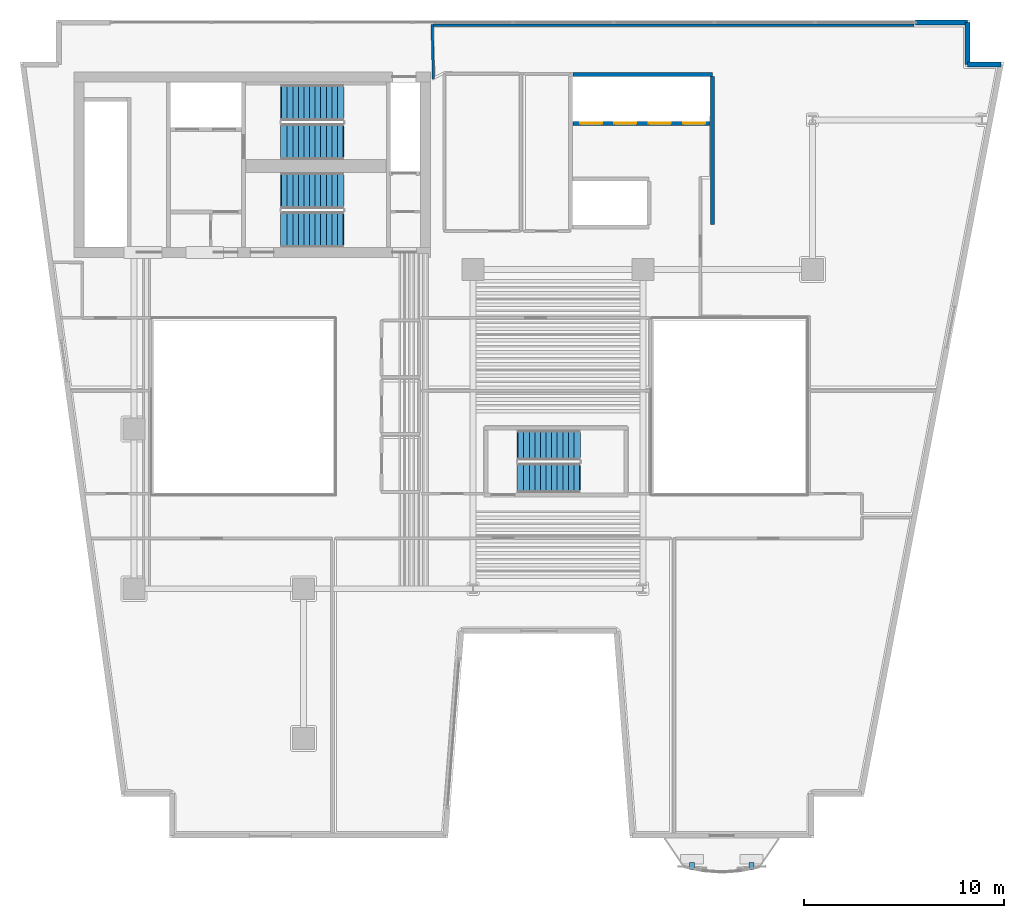
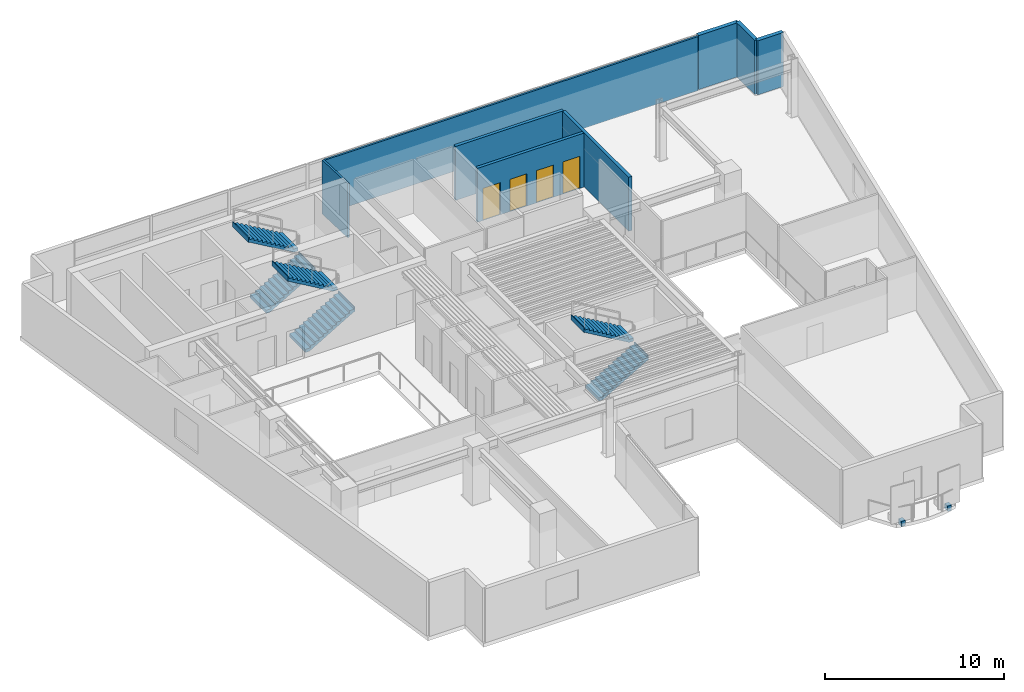
# One storey, part 8 of 13: 8 walls, 6 stair flights, 4 doors, 2 discrete accessories, 4 openings, 3 elements without a shape of their own.
"""IFC4 building model written with IfcOpenShell, lengths in metres."""

from ifc_helpers import new_model, si_unit, direction, frame, frame_2d, origin, origin_2d, place, context, subcontext, project, spatial, polyline, rectangle, outline, extrude, material, layer, layer_set, type_object, element, fill, aggregate, save


model = new_model("IFC4")

# Units and contexts
model_context = context("Model", 3, precision=1e-05, world=origin(), true_north=direction((0.0, 1.0)))
body_context = subcontext(model_context, "Body", "Model", "MODEL_VIEW")
ifc_project = project(units=[si_unit("LENGTHUNIT", "METRE"), si_unit("AREAUNIT", "SQUARE_METRE"), si_unit("VOLUMEUNIT", "CUBIC_METRE"), si_unit("PLANEANGLEUNIT", "RADIAN"), si_unit("MASSUNIT", "GRAM", prefix="KILO")], contexts=[model_context])

# Site, building, storey
site_placement = place(None, origin())
site = spatial("IfcSite", under=ifc_project, at=site_placement, CompositionType="ELEMENT")
building_placement = place(site_placement, origin())
building = spatial("IfcBuilding", under=site, at=building_placement, Name="Caeloran Harvest Quay", CompositionType="ELEMENT")
storey_placement = place(building_placement, frame((0.0, 0.0, 135.10009765625)))
storey = spatial("IfcBuildingStorey", under=building, at=storey_placement, Name="L31", CompositionType="ELEMENT", Elevation=135.10009765625)

# Walls
ifc_material_1 = material(Name="Precast concrete C50/60", Category="concrete")
ifc_layer_1 = layer(ifc_material_1, 0.260009765625, Name="Precast concrete C50/60")
ifc_layer_set_1 = layer_set([ifc_layer_1], Name="Precast concrete C50/60")
wall_type_1 = type_object("IfcWallType", Name="ENV-WALL-EW-260", PredefinedType="STANDARD", material=ifc_layer_set_1)
wall_1_placement = place(storey_placement, frame((47.669921875, 43.3701171875, 0.0), z_axis=(0.0, 0.0, 1.0), x_axis=(1.0, 0.0, 0.0)))
element("IfcWall", 1, at=wall_1_placement, inside=storey, type_object=wall_type_1, Name="L31 Exterior Facade Corner Pier Wall 6B", PredefinedType="STANDARD", context=body_context, shape_type="SweptSolid", body=[
    extrude(rectangle(XDim=2.60009765625, YDim=0.260009765625, at=frame_2d((1.300048828125, 0.0))), origin(), (0.0, 0.0, 1.0), 3.68994140625),
])
wall_2_placement = place(storey_placement, frame((50.27001953125, 43.3701171875, 0.0), z_axis=(0.0, 0.0, 1.0), x_axis=(0.0, -1.0, 0.0)))
element("IfcWall", 2, at=wall_2_placement, inside=storey, type_object=wall_type_1, Name="L31 Exterior Precast Concrete Facade Wall 7", PredefinedType="STANDARD", context=body_context, shape_type="SweptSolid", body=[
    extrude(rectangle(XDim=2.10009765625, YDim=0.260009765625, at=frame_2d((1.050048828125, 0.0))), origin(), (0.0, 0.0, 1.0), 3.68994140625),
])
wall_3_placement = place(storey_placement, frame((50.27001953125, 41.27001953125, 0.0), z_axis=(0.0, 0.0, 1.0), x_axis=(1.0, 0.0, 0.0)))
element("IfcWall", 3, at=wall_3_placement, inside=storey, type_object=wall_type_1, Name="L31 Exterior Precast Concrete Facade Wall 8", PredefinedType="STANDARD", context=body_context, shape_type="SweptSolid", body=[
    extrude(rectangle(XDim=1.671875, YDim=0.260009765625, at=frame_2d((0.8359375, 0.0))), origin(), (0.0, 0.0, 1.0), 3.68994140625),
])
ifc_material_2 = material(Name="Twin-Stud Mineral-Wool Acoustic Gypsum Partition", Category="gypsum")
ifc_layer_2 = layer(ifc_material_2, 0.125, Name="Twin-Stud Mineral-Wool Acoustic Gypsum Partition")
ifc_layer_set_2 = layer_set([ifc_layer_2], Name="Twin-Stud Mineral-Wool Acoustic Gypsum Partition")
wall_type_2 = type_object("IfcWallType", Name="INT-WALL-PW-125", PredefinedType="PARTITIONING", material=ifc_layer_set_2)
wall_4_placement = place(storey_placement, frame((23.510009765625, 40.555908203125, 0.0), z_axis=(0.0, 0.0, 1.0), x_axis=(-0.02567646332, 0.999670305266, 0.0)))
element("IfcWall", 4, at=wall_4_placement, inside=storey, type_object=wall_type_2, Name="Food Texture Sensory Laboratory 9 Partition Wall", PredefinedType="PARTITIONING", context=body_context, shape_type="SweptSolid", body=[
    extrude(rectangle(XDim=2.7099609375, YDim=0.125, at=frame_2d((1.35498046875, 0.0))), origin(), (0.0, 0.0, 1.0), 3.68994140625),
])
wall_5_placement = place(storey_placement, frame((23.508544921875, 43.239990234375, 0.0), z_axis=(0.0, 0.0, 1.0), x_axis=(1.0, 0.0, 0.0)))
element("IfcWall", 5, at=wall_5_placement, inside=storey, type_object=wall_type_2, Name="Food Texture Sensory Laboratory 9 Partition Wall", PredefinedType="PARTITIONING", context=body_context, shape_type="SweptSolid", body=[
    extrude(rectangle(XDim=24.0869140625, YDim=0.125, at=frame_2d((12.04345703125, 0.0))), origin(), (0.0, 0.0, 1.0), 3.68994140625),
])
ifc_material_3 = material(Name="Concrete C50/60", Category="concrete")
ifc_layer_3 = layer(ifc_material_3, 0.199951171875, Name="Concrete C50/60")
ifc_layer_set_3 = layer_set([ifc_layer_3], Name="Concrete C50/60")
wall_type_3 = type_object("IfcWallType", Name="INT-WALL-SW-200", PredefinedType="PARTITIONING", material=ifc_layer_set_3)
wall_6_placement = place(storey_placement, frame((30.5, 40.780029296875, 0.0), z_axis=(0.0, 0.0, 1.0), x_axis=(1.0, 0.0, 0.0)))
element("IfcWall", 6, at=wall_6_placement, inside=storey, type_object=wall_type_3, Name="L31 Bank 2 Lift Shaft North Wall", PredefinedType="PARTITIONING", context=body_context, shape_type="SweptSolid", body=[
    extrude(rectangle(XDim=6.97998046875, YDim=0.199951171875, at=frame_2d((3.489990234375, 0.0))), origin(), (0.0, 0.0, 1.0), 3.68994140625),
])
wall_7_placement = place(storey_placement, frame((37.47998046875, 33.239990234375, 0.0), z_axis=(0.0, 0.0, 1.0), x_axis=(0.0, 1.0, 0.0)))
element("IfcWall", 7, at=wall_7_placement, inside=storey, type_object=wall_type_3, Name="L31 Bank 2 Lift Shaft East Wall", PredefinedType="PARTITIONING", context=body_context, shape_type="SweptSolid", body=[
    extrude(rectangle(XDim=7.419921875, YDim=0.199951171875, at=frame_2d((3.7099609375, 0.0))), origin(), (0.0, 0.0, 1.0), 3.68994140625),
])

# Wall, openings, doors
wall_8_placement = place(storey_placement, frame((30.5, 38.320068359375, 0.0), z_axis=(0.0, 0.0, 1.0), x_axis=(1.0, 0.0, 0.0)))
wall_8 = element("IfcWall", 8, at=wall_8_placement, inside=storey, type_object=wall_type_3, Name="L31 Bank 2 Lift Landing Front Wall", PredefinedType="PARTITIONING", context=body_context, shape_type="SweptSolid", body=[
    extrude(rectangle(XDim=6.860107421875, YDim=0.199951171875, at=frame_2d((3.43017578125, 0.0))), origin(), (0.0, 0.0, 1.0), 3.68994140625),
])
opening_1_placement = place(wall_8_placement, frame((0.360107421875, 0.0, 0.0)))
opening_1 = element("IfcOpeningElement", 9, at=opening_1_placement, cuts=wall_8, Name="Opening LD-01", PredefinedType="OPENING", context=body_context, shape_type="SweptSolid", body=[
    extrude(rectangle(XDim=1.10009765625, YDim=2.199951171875, at=frame_2d((0.550048828125, 1.10009765625))), frame((0.0, 0.10986328125, 0.0), z_axis=(0.0, -1.0, 0.0), x_axis=(1.0, 0.0, 0.0)), (0.0, 0.0, 1.0), 0.219970703125),
])
opening_2_placement = place(wall_8_placement, frame((2.080078125, 0.0, 0.0)))
opening_2 = element("IfcOpeningElement", 10, at=opening_2_placement, cuts=wall_8, Name="Opening LD-01", PredefinedType="OPENING", context=body_context, shape_type="SweptSolid", body=[
    extrude(rectangle(XDim=1.10009765625, YDim=2.199951171875, at=frame_2d((0.550048828125, 1.10009765625))), frame((0.0, 0.10986328125, 0.0), z_axis=(0.0, -1.0, 0.0), x_axis=(1.0, 0.0, 0.0)), (0.0, 0.0, 1.0), 0.219970703125),
])
opening_3_placement = place(wall_8_placement, frame((3.800048828125, 0.0, 0.0)))
opening_3 = element("IfcOpeningElement", 11, at=opening_3_placement, cuts=wall_8, Name="Opening LD-01", PredefinedType="OPENING", context=body_context, shape_type="SweptSolid", body=[
    extrude(rectangle(XDim=1.10009765625, YDim=2.199951171875, at=frame_2d((0.550048828125, 1.10009765625))), frame((0.0, 0.10986328125, 0.0), z_axis=(0.0, -1.0, 0.0), x_axis=(1.0, 0.0, 0.0)), (0.0, 0.0, 1.0), 0.219970703125),
])
opening_4_placement = place(wall_8_placement, frame((5.52001953125, 0.0, 0.0)))
opening_4 = element("IfcOpeningElement", 12, at=opening_4_placement, cuts=wall_8, Name="Opening LD-01", PredefinedType="OPENING", context=body_context, shape_type="SweptSolid", body=[
    extrude(rectangle(XDim=1.10009765625, YDim=2.199951171875, at=frame_2d((0.550048828125, 1.10009765625))), frame((0.0, 0.10986328125, 0.0), z_axis=(0.0, -1.0, 0.0), x_axis=(1.0, 0.0, 0.0)), (0.0, 0.0, 1.0), 0.219970703125),
])
ifc_material_4 = material(Name="Stainless Steel Grade 316", Category="steel")
door_type = type_object("IfcDoorType", Name="INTDOOR-LD-01", OperationType="NOTDEFINED", PredefinedType="DOOR", material=ifc_material_4)
door_1_placement = place(opening_1_placement, origin())
door_1 = element("IfcDoor", 13, at=door_1_placement, inside=storey, type_object=door_type, Name="Lift P2-1 Sliding Landing Door (L31)", OperationType="DOUBLE_DOOR_SLIDING", OverallHeight=2.199951171875, OverallWidth=1.10009765625, PredefinedType="DOOR", context=body_context, shape_type="SweptSolid", body=[
    extrude(rectangle(XDim=1.10009765625, YDim=2.199951171875, at=frame_2d((0.550048828125, 1.10009765625))), frame((0.0, 0.02490234375, 0.0), z_axis=(0.0, -1.0, 0.0), x_axis=(1.0, 0.0, 0.0)), (0.0, 0.0, 1.0), 0.050048828125),
])
fill(opening_1, door_1)
door_2_placement = place(opening_2_placement, origin())
door_2 = element("IfcDoor", 14, at=door_2_placement, inside=storey, type_object=door_type, Name="Lift P2-2 Sliding Landing Door (L31)", OperationType="DOUBLE_DOOR_SLIDING", OverallHeight=2.199951171875, OverallWidth=1.10009765625, PredefinedType="DOOR", context=body_context, shape_type="SweptSolid", body=[
    extrude(rectangle(XDim=1.10009765625, YDim=2.199951171875, at=frame_2d((0.550048828125, 1.10009765625))), frame((0.0, 0.02490234375, 0.0), z_axis=(0.0, -1.0, 0.0), x_axis=(1.0, 0.0, 0.0)), (0.0, 0.0, 1.0), 0.050048828125),
])
fill(opening_2, door_2)
door_3_placement = place(opening_3_placement, origin())
door_3 = element("IfcDoor", 15, at=door_3_placement, inside=storey, type_object=door_type, Name="Lift P2-3 Sliding Landing Door (L31)", OperationType="DOUBLE_DOOR_SLIDING", OverallHeight=2.199951171875, OverallWidth=1.10009765625, PredefinedType="DOOR", context=body_context, shape_type="SweptSolid", body=[
    extrude(rectangle(XDim=1.10009765625, YDim=2.199951171875, at=frame_2d((0.550048828125, 1.10009765625))), frame((0.0, 0.02490234375, 0.0), z_axis=(0.0, -1.0, 0.0), x_axis=(1.0, 0.0, 0.0)), (0.0, 0.0, 1.0), 0.050048828125),
])
fill(opening_3, door_3)
door_4_placement = place(opening_4_placement, origin())
door_4 = element("IfcDoor", 16, at=door_4_placement, inside=storey, type_object=door_type, Name="Lift P2-4 Sliding Landing Door (L31)", OperationType="DOUBLE_DOOR_SLIDING", OverallHeight=2.199951171875, OverallWidth=1.10009765625, PredefinedType="DOOR", context=body_context, shape_type="SweptSolid", body=[
    extrude(rectangle(XDim=1.10009765625, YDim=2.199951171875, at=frame_2d((0.550048828125, 1.10009765625))), frame((0.0, 0.02490234375, 0.0), z_axis=(0.0, -1.0, 0.0), x_axis=(1.0, 0.0, 0.0)), (0.0, 0.0, 1.0), 0.050048828125),
])
fill(opening_4, door_4)

# Stair, stair flights
stair_type_1 = type_object("IfcStairType", Name="STAIR-STC-180", PredefinedType="HALF_TURN_STAIR", material=ifc_material_3)
stair_1_placement = place(storey_placement, origin())
stair_1 = element("IfcStair", 17, at=stair_1_placement, inside=storey, type_object=stair_type_1, Name="L31 Core Pressurized Exit Stair ST-C1", PredefinedType="HALF_TURN_STAIR")
stair_flight_type_1 = type_object("IfcStairFlightType", Name="FLIGHT-STC-180", PredefinedType="STRAIGHT", material=ifc_material_3)
stair_flight_1_placement = place(storey_placement, frame((15.89990234375, 37.39990234375, 0.0), z_axis=(0.0, 0.0, 1.0), x_axis=(1.0, 0.0, 0.0)))
stair_flight_1 = element("IfcStairFlight", 18, at=stair_flight_1_placement, type_object=stair_flight_type_1, Name="ST-C1 flight 1", NumberOfRisers=12, NumberOfTreads=11, PredefinedType="STRAIGHT", RiserHeight=0.164583333, TreadLength=0.28, context=body_context, shape_type="SweptSolid", body=[
    extrude(outline(polyline([(-0.054931640625, -0.044921875), (-0.054931640625, -0.031982421875), (-0.054931640625, -0.018798828125), (-0.054931640625, -0.005615234375), (-0.054931640625, 0.00732421875), (-0.054931640625, 0.0205078125), (-0.054931640625, 0.03369140625), (-0.054931640625, 0.046630859375), (-0.054931640625, 0.059814453125), (-0.054931640625, 0.072998046875), (-0.054931640625, 0.0859375), (-0.054931640625, 0.09912109375), (-0.054931640625, 0.1123046875), (-0.054931640625, 0.125244140625), (-0.054931640625, 0.138427734375), (-0.054931640625, 0.1513671875), (-0.054931640625, 0.16455078125), (0.280029296875, 0.16455078125), (0.280029296875, 0.3291015625), (0.56005859375, 0.3291015625), (0.56005859375, 0.49365234375), (0.840087890625, 0.49365234375), (0.840087890625, 0.658447265625), (1.1201171875, 0.658447265625), (1.1201171875, 0.822998046875), (1.39990234375, 0.822998046875), (1.39990234375, 0.987548828125), (1.679931640625, 0.987548828125), (1.679931640625, 1.152099609375), (1.9599609375, 1.152099609375), (1.9599609375, 1.316650390625), (2.239990234375, 1.316650390625), (2.239990234375, 1.481201171875), (2.52001953125, 1.481201171875), (2.52001953125, 1.645751953125), (2.800048828125, 1.645751953125), (2.800048828125, 1.810302734375), (3.080078125, 1.810302734375), (3.080078125, 1.97509765625), (3.135009765625, 1.97509765625), (3.135009765625, 1.953857421875), (3.135009765625, 1.9326171875), (3.135009765625, 1.91162109375), (3.135009765625, 1.890380859375), (3.135009765625, 1.869140625), (3.135009765625, 1.84814453125), (3.135009765625, 1.826904296875), (3.135009765625, 1.8056640625), (3.135009765625, 1.78466796875), (3.135009765625, 1.763427734375), (3.135009765625, 1.7421875), (3.135009765625, 1.72119140625), (3.135009765625, 1.699951171875), (3.135009765625, 1.678955078125), (3.135009765625, 1.65771484375), (3.135009765625, 1.636474609375), (3.080078125, 1.636474609375), (0.21923828125, -0.044921875), (-0.054931640625, -0.044921875)])), frame((0.0, 0.89990234375, 0.0), z_axis=(0.0, -1.0, 0.0), x_axis=(1.0, 0.0, 0.0)), (0.0, 0.0, 1.0), 1.800048828125),
])
stair_flight_2_placement = place(storey_placement, frame((18.97998046875, 39.35009765625, 1.974853515625), z_axis=(0.0, 0.0, 1.0), x_axis=(-1.0, 0.0, 0.0)))
stair_flight_2 = element("IfcStairFlight", 19, at=stair_flight_2_placement, type_object=stair_flight_type_1, Name="ST-C1 flight 2", NumberOfRisers=12, NumberOfTreads=11, PredefinedType="STRAIGHT", RiserHeight=0.164583333, TreadLength=0.28, context=body_context, shape_type="SweptSolid", body=[
    extrude(outline(polyline([(-0.054931640625, -0.044921875), (-0.054931640625, -0.031982421875), (-0.054931640625, -0.018798828125), (-0.054931640625, -0.005615234375), (-0.054931640625, 0.00732421875), (-0.054931640625, 0.0205078125), (-0.054931640625, 0.03369140625), (-0.054931640625, 0.046630859375), (-0.054931640625, 0.059814453125), (-0.054931640625, 0.072998046875), (-0.054931640625, 0.0859375), (-0.054931640625, 0.09912109375), (-0.054931640625, 0.1123046875), (-0.054931640625, 0.125244140625), (-0.054931640625, 0.138427734375), (-0.054931640625, 0.1513671875), (-0.054931640625, 0.16455078125), (0.280029296875, 0.16455078125), (0.280029296875, 0.3291015625), (0.56005859375, 0.3291015625), (0.56005859375, 0.49365234375), (0.840087890625, 0.49365234375), (0.840087890625, 0.658447265625), (1.1201171875, 0.658447265625), (1.1201171875, 0.822998046875), (1.39990234375, 0.822998046875), (1.39990234375, 0.987548828125), (1.679931640625, 0.987548828125), (1.679931640625, 1.152099609375), (1.9599609375, 1.152099609375), (1.9599609375, 1.316650390625), (2.239990234375, 1.316650390625), (2.239990234375, 1.481201171875), (2.52001953125, 1.481201171875), (2.52001953125, 1.645751953125), (2.800048828125, 1.645751953125), (2.800048828125, 1.810302734375), (3.080078125, 1.810302734375), (3.080078125, 1.97509765625), (3.135009765625, 1.97509765625), (3.135009765625, 1.953857421875), (3.135009765625, 1.9326171875), (3.135009765625, 1.91162109375), (3.135009765625, 1.890380859375), (3.135009765625, 1.869140625), (3.135009765625, 1.84814453125), (3.135009765625, 1.826904296875), (3.135009765625, 1.8056640625), (3.135009765625, 1.78466796875), (3.135009765625, 1.763427734375), (3.135009765625, 1.7421875), (3.135009765625, 1.72119140625), (3.135009765625, 1.699951171875), (3.135009765625, 1.678955078125), (3.135009765625, 1.65771484375), (3.135009765625, 1.636474609375), (3.080078125, 1.636474609375), (0.21923828125, -0.044921875), (-0.054931640625, -0.044921875)])), frame((0.0, 0.89990234375, 0.0), z_axis=(0.0, -1.0, 0.0), x_axis=(1.0, 0.0, 0.0)), (0.0, 0.0, 1.0), 1.800048828125),
])
aggregate(stair_1, [stair_flight_1, stair_flight_2])

stair_2_placement = place(storey_placement, origin())
stair_2 = element("IfcStair", 20, at=stair_2_placement, inside=storey, type_object=stair_type_1, Name="L31 Core Pressurized Exit Stair ST-C2", PredefinedType="HALF_TURN_STAIR")
stair_flight_3_placement = place(storey_placement, frame((15.89990234375, 33.0, 0.0), z_axis=(0.0, 0.0, 1.0), x_axis=(1.0, 0.0, 0.0)))
stair_flight_3 = element("IfcStairFlight", 21, at=stair_flight_3_placement, type_object=stair_flight_type_1, Name="ST-C2 flight 1", NumberOfRisers=12, NumberOfTreads=11, PredefinedType="STRAIGHT", RiserHeight=0.164583333, TreadLength=0.28, context=body_context, shape_type="SweptSolid", body=[
    extrude(outline(polyline([(-0.054931640625, -0.044921875), (-0.054931640625, -0.031982421875), (-0.054931640625, -0.018798828125), (-0.054931640625, -0.005615234375), (-0.054931640625, 0.00732421875), (-0.054931640625, 0.0205078125), (-0.054931640625, 0.03369140625), (-0.054931640625, 0.046630859375), (-0.054931640625, 0.059814453125), (-0.054931640625, 0.072998046875), (-0.054931640625, 0.0859375), (-0.054931640625, 0.09912109375), (-0.054931640625, 0.1123046875), (-0.054931640625, 0.125244140625), (-0.054931640625, 0.138427734375), (-0.054931640625, 0.1513671875), (-0.054931640625, 0.16455078125), (0.280029296875, 0.16455078125), (0.280029296875, 0.3291015625), (0.56005859375, 0.3291015625), (0.56005859375, 0.49365234375), (0.840087890625, 0.49365234375), (0.840087890625, 0.658447265625), (1.1201171875, 0.658447265625), (1.1201171875, 0.822998046875), (1.39990234375, 0.822998046875), (1.39990234375, 0.987548828125), (1.679931640625, 0.987548828125), (1.679931640625, 1.152099609375), (1.9599609375, 1.152099609375), (1.9599609375, 1.316650390625), (2.239990234375, 1.316650390625), (2.239990234375, 1.481201171875), (2.52001953125, 1.481201171875), (2.52001953125, 1.645751953125), (2.800048828125, 1.645751953125), (2.800048828125, 1.810302734375), (3.080078125, 1.810302734375), (3.080078125, 1.97509765625), (3.135009765625, 1.97509765625), (3.135009765625, 1.953857421875), (3.135009765625, 1.9326171875), (3.135009765625, 1.91162109375), (3.135009765625, 1.890380859375), (3.135009765625, 1.869140625), (3.135009765625, 1.84814453125), (3.135009765625, 1.826904296875), (3.135009765625, 1.8056640625), (3.135009765625, 1.78466796875), (3.135009765625, 1.763427734375), (3.135009765625, 1.7421875), (3.135009765625, 1.72119140625), (3.135009765625, 1.699951171875), (3.135009765625, 1.678955078125), (3.135009765625, 1.65771484375), (3.135009765625, 1.636474609375), (3.080078125, 1.636474609375), (0.21923828125, -0.044921875), (-0.054931640625, -0.044921875)])), frame((0.0, 0.89990234375, 0.0), z_axis=(0.0, -1.0, 0.0), x_axis=(1.0, 0.0, 0.0)), (0.0, 0.0, 1.0), 1.800048828125),
])
stair_flight_4_placement = place(storey_placement, frame((18.97998046875, 34.949951171875, 1.974853515625), z_axis=(0.0, 0.0, 1.0), x_axis=(-1.0, 0.0, 0.0)))
stair_flight_4 = element("IfcStairFlight", 22, at=stair_flight_4_placement, type_object=stair_flight_type_1, Name="ST-C2 flight 2", NumberOfRisers=12, NumberOfTreads=11, PredefinedType="STRAIGHT", RiserHeight=0.164583333, TreadLength=0.28, context=body_context, shape_type="SweptSolid", body=[
    extrude(outline(polyline([(-0.054931640625, -0.044921875), (-0.054931640625, -0.031982421875), (-0.054931640625, -0.018798828125), (-0.054931640625, -0.005615234375), (-0.054931640625, 0.00732421875), (-0.054931640625, 0.0205078125), (-0.054931640625, 0.03369140625), (-0.054931640625, 0.046630859375), (-0.054931640625, 0.059814453125), (-0.054931640625, 0.072998046875), (-0.054931640625, 0.0859375), (-0.054931640625, 0.09912109375), (-0.054931640625, 0.1123046875), (-0.054931640625, 0.125244140625), (-0.054931640625, 0.138427734375), (-0.054931640625, 0.1513671875), (-0.054931640625, 0.16455078125), (0.280029296875, 0.16455078125), (0.280029296875, 0.3291015625), (0.56005859375, 0.3291015625), (0.56005859375, 0.49365234375), (0.840087890625, 0.49365234375), (0.840087890625, 0.658447265625), (1.1201171875, 0.658447265625), (1.1201171875, 0.822998046875), (1.39990234375, 0.822998046875), (1.39990234375, 0.987548828125), (1.679931640625, 0.987548828125), (1.679931640625, 1.152099609375), (1.9599609375, 1.152099609375), (1.9599609375, 1.316650390625), (2.239990234375, 1.316650390625), (2.239990234375, 1.481201171875), (2.52001953125, 1.481201171875), (2.52001953125, 1.645751953125), (2.800048828125, 1.645751953125), (2.800048828125, 1.810302734375), (3.080078125, 1.810302734375), (3.080078125, 1.97509765625), (3.135009765625, 1.97509765625), (3.135009765625, 1.953857421875), (3.135009765625, 1.9326171875), (3.135009765625, 1.91162109375), (3.135009765625, 1.890380859375), (3.135009765625, 1.869140625), (3.135009765625, 1.84814453125), (3.135009765625, 1.826904296875), (3.135009765625, 1.8056640625), (3.135009765625, 1.78466796875), (3.135009765625, 1.763427734375), (3.135009765625, 1.7421875), (3.135009765625, 1.72119140625), (3.135009765625, 1.699951171875), (3.135009765625, 1.678955078125), (3.135009765625, 1.65771484375), (3.135009765625, 1.636474609375), (3.080078125, 1.636474609375), (0.21923828125, -0.044921875), (-0.054931640625, -0.044921875)])), frame((0.0, 0.89990234375, 0.0), z_axis=(0.0, -1.0, 0.0), x_axis=(1.0, 0.0, 0.0)), (0.0, 0.0, 1.0), 1.800048828125),
])
aggregate(stair_2, [stair_flight_3, stair_flight_4])

stair_type_2 = type_object("IfcStairType", Name="STAIR-STW-150", PredefinedType="HALF_TURN_STAIR", material=ifc_material_3)
stair_3_placement = place(storey_placement, origin())
stair_3 = element("IfcStair", 23, at=stair_3_placement, inside=storey, type_object=stair_type_2, Name="L31 East Wing Protected Exit Stair ST-W1", PredefinedType="HALF_TURN_STAIR")
stair_flight_type_2 = type_object("IfcStairFlightType", Name="FLIGHT-STW-150", PredefinedType="STRAIGHT", material=ifc_material_3)
stair_flight_5_placement = place(storey_placement, frame((27.75, 20.550048828125, 0.0), z_axis=(0.0, 0.0, 1.0), x_axis=(1.0, 0.0, 0.0)))
stair_flight_5 = element("IfcStairFlight", 24, at=stair_flight_5_placement, type_object=stair_flight_type_2, Name="ST-W1 flight 1", NumberOfRisers=12, NumberOfTreads=11, PredefinedType="STRAIGHT", RiserHeight=0.164583333, TreadLength=0.28, context=body_context, shape_type="SweptSolid", body=[
    extrude(outline(polyline([(-0.054931640625, -0.044921875), (-0.054931640625, -0.031982421875), (-0.054931640625, -0.018798828125), (-0.054931640625, -0.005615234375), (-0.054931640625, 0.00732421875), (-0.054931640625, 0.0205078125), (-0.054931640625, 0.03369140625), (-0.054931640625, 0.046630859375), (-0.054931640625, 0.059814453125), (-0.054931640625, 0.072998046875), (-0.054931640625, 0.0859375), (-0.054931640625, 0.09912109375), (-0.054931640625, 0.1123046875), (-0.054931640625, 0.125244140625), (-0.054931640625, 0.138427734375), (-0.054931640625, 0.1513671875), (-0.054931640625, 0.16455078125), (0.280029296875, 0.16455078125), (0.280029296875, 0.3291015625), (0.56005859375, 0.3291015625), (0.56005859375, 0.49365234375), (0.840087890625, 0.49365234375), (0.840087890625, 0.658447265625), (1.1201171875, 0.658447265625), (1.1201171875, 0.822998046875), (1.39990234375, 0.822998046875), (1.39990234375, 0.987548828125), (1.679931640625, 0.987548828125), (1.679931640625, 1.152099609375), (1.9599609375, 1.152099609375), (1.9599609375, 1.316650390625), (2.239990234375, 1.316650390625), (2.239990234375, 1.481201171875), (2.52001953125, 1.481201171875), (2.52001953125, 1.645751953125), (2.800048828125, 1.645751953125), (2.800048828125, 1.810302734375), (3.080078125, 1.810302734375), (3.080078125, 1.97509765625), (3.135009765625, 1.97509765625), (3.135009765625, 1.953857421875), (3.135009765625, 1.9326171875), (3.135009765625, 1.91162109375), (3.135009765625, 1.890380859375), (3.135009765625, 1.869140625), (3.135009765625, 1.84814453125), (3.135009765625, 1.826904296875), (3.135009765625, 1.8056640625), (3.135009765625, 1.78466796875), (3.135009765625, 1.763427734375), (3.135009765625, 1.7421875), (3.135009765625, 1.72119140625), (3.135009765625, 1.699951171875), (3.135009765625, 1.678955078125), (3.135009765625, 1.65771484375), (3.135009765625, 1.636474609375), (3.080078125, 1.636474609375), (0.21923828125, -0.044921875), (-0.054931640625, -0.044921875)])), frame((0.0, 0.75, 0.0), z_axis=(0.0, -1.0, 0.0), x_axis=(1.0, 0.0, 0.0)), (0.0, 0.0, 1.0), 1.5),
])
stair_flight_6_placement = place(storey_placement, frame((30.830078125, 22.199951171875, 1.974853515625), z_axis=(0.0, 0.0, 1.0), x_axis=(-1.0, 0.0, 0.0)))
stair_flight_6 = element("IfcStairFlight", 25, at=stair_flight_6_placement, type_object=stair_flight_type_2, Name="ST-W1 flight 2", NumberOfRisers=12, NumberOfTreads=11, PredefinedType="STRAIGHT", RiserHeight=0.164583333, TreadLength=0.28, context=body_context, shape_type="SweptSolid", body=[
    extrude(outline(polyline([(-0.054931640625, -0.044921875), (-0.054931640625, -0.031982421875), (-0.054931640625, -0.018798828125), (-0.054931640625, -0.005615234375), (-0.054931640625, 0.00732421875), (-0.054931640625, 0.0205078125), (-0.054931640625, 0.03369140625), (-0.054931640625, 0.046630859375), (-0.054931640625, 0.059814453125), (-0.054931640625, 0.072998046875), (-0.054931640625, 0.0859375), (-0.054931640625, 0.09912109375), (-0.054931640625, 0.1123046875), (-0.054931640625, 0.125244140625), (-0.054931640625, 0.138427734375), (-0.054931640625, 0.1513671875), (-0.054931640625, 0.16455078125), (0.280029296875, 0.16455078125), (0.280029296875, 0.3291015625), (0.56005859375, 0.3291015625), (0.56005859375, 0.49365234375), (0.840087890625, 0.49365234375), (0.840087890625, 0.658447265625), (1.1201171875, 0.658447265625), (1.1201171875, 0.822998046875), (1.39990234375, 0.822998046875), (1.39990234375, 0.987548828125), (1.679931640625, 0.987548828125), (1.679931640625, 1.152099609375), (1.9599609375, 1.152099609375), (1.9599609375, 1.316650390625), (2.239990234375, 1.316650390625), (2.239990234375, 1.481201171875), (2.52001953125, 1.481201171875), (2.52001953125, 1.645751953125), (2.800048828125, 1.645751953125), (2.800048828125, 1.810302734375), (3.080078125, 1.810302734375), (3.080078125, 1.97509765625), (3.135009765625, 1.97509765625), (3.135009765625, 1.953857421875), (3.135009765625, 1.9326171875), (3.135009765625, 1.91162109375), (3.135009765625, 1.890380859375), (3.135009765625, 1.869140625), (3.135009765625, 1.84814453125), (3.135009765625, 1.826904296875), (3.135009765625, 1.8056640625), (3.135009765625, 1.78466796875), (3.135009765625, 1.763427734375), (3.135009765625, 1.7421875), (3.135009765625, 1.72119140625), (3.135009765625, 1.699951171875), (3.135009765625, 1.678955078125), (3.135009765625, 1.65771484375), (3.135009765625, 1.636474609375), (3.080078125, 1.636474609375), (0.21923828125, -0.044921875), (-0.054931640625, -0.044921875)])), frame((0.0, 0.75, 0.0), z_axis=(0.0, -1.0, 0.0), x_axis=(1.0, 0.0, 0.0)), (0.0, 0.0, 1.0), 1.5),
])
aggregate(stair_3, [stair_flight_5, stair_flight_6])

# Discrete accessories
ifc_material_5 = material(Name="Stainless Steel Grade 316L", Category="steel")
discrete_accessory_type = type_object("IfcDiscreteAccessoryType", Name="BRACKET-SCREEN-SS", PredefinedType="BRACKET", material=ifc_material_5)
for number, where, z_axis, x_axis, name in (
    (26, (39.44921875, 1.1064453125, -0.22021484375), (0.0, 0.0, 1.0), (1.0, 0.0, 0.0), "L31 Balcony Screen Support Bracket 1"),
    (27, (36.4658203125, 1.1064453125, -0.22021484375), (0.0, 0.0, 1.0), (1.0, 0.0, 0.0), "L31 Balcony Screen Support Bracket 2"),
):
    element("IfcDiscreteAccessory", number, at=place(storey_placement, frame(where, z_axis=z_axis, x_axis=x_axis)), inside=storey, type_object=discrete_accessory_type, Name=name, PredefinedType="BRACKET", context=body_context, shape_type="SweptSolid", body=[
        extrude(rectangle(XDim=0.260009765625, YDim=0.340087890625, at=origin_2d()), origin(), (0.0, 0.0, 1.0), 0.360107421875),
    ])

save(model, "model.ifc")
